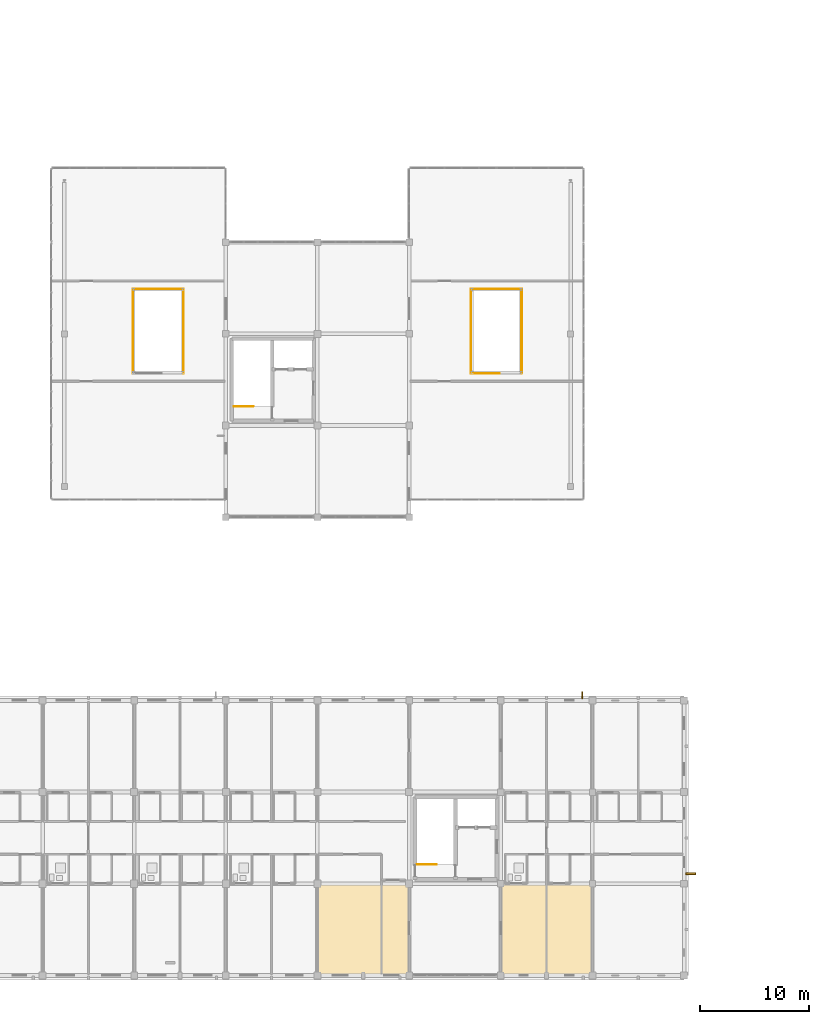
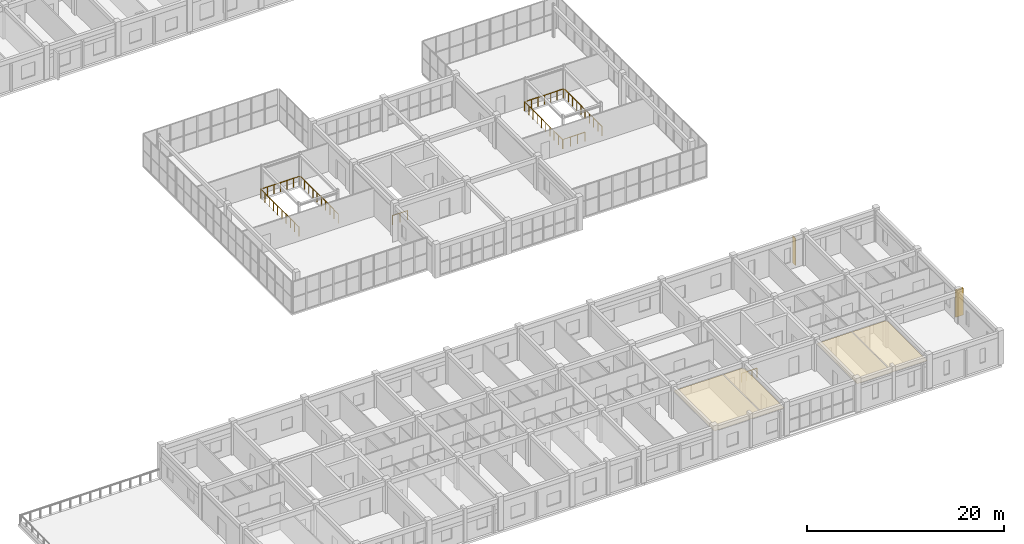
# One storey, part 76 of 81: 9 railings, 2 coverings, 2 shading devices.
"""IFC4 building model written with IfcOpenShell, lengths in metres."""

from ifc_helpers import new_model, si_unit, direction, frame, origin, origin_2d, place, context, subcontext, project, spatial, polyline, rectangle, circle, outline, extrude, material, layer, layer_set, type_object, element, save


model = new_model("IFC4")

# Units and contexts
model_context = context("Model", 3, precision=1e-05, world=origin(), true_north=direction((0.0, 1.0)))
body_context = subcontext(model_context, "Body", "Model", "MODEL_VIEW")
ifc_project = project(units=[si_unit("LENGTHUNIT", "METRE"), si_unit("AREAUNIT", "SQUARE_METRE"), si_unit("VOLUMEUNIT", "CUBIC_METRE"), si_unit("PLANEANGLEUNIT", "RADIAN"), si_unit("MASSUNIT", "GRAM", prefix="KILO")], contexts=[model_context])

# Site, building, storey
site_placement = place(None, origin())
site = spatial("IfcSite", under=ifc_project, at=site_placement, CompositionType="ELEMENT")
building_placement = place(site_placement, origin())
building = spatial("IfcBuilding", under=site, at=building_placement, Name="Trelvath General Hospital", CompositionType="ELEMENT")
storey_placement = place(building_placement, frame((0.0, 0.0, 24.60009765625)))
storey = spatial("IfcBuildingStorey", under=building, at=storey_placement, Name="L06", CompositionType="ELEMENT", Elevation=24.60009765625)

# Shading device
ifc_material_1 = material(Name="Precast concrete C40/50", Category="concrete")
shading_device_type_1 = type_object("IfcShadingDeviceType", Name="BriseSoleil PrecastFin900", PredefinedType="JALOUSIE", material=ifc_material_1)
shading_device_1_placement = place(storey_placement, frame((118.205078125, 9.328125, 0.0), z_axis=(0.0, 0.0, 1.0), x_axis=(1.0, 0.0, 0.0)))
element("IfcShadingDevice", 1, at=shading_device_1_placement, inside=storey, type_object=shading_device_type_1, Name="Solar Brise-Soleil Screen L06-99", PredefinedType="JALOUSIE", context=body_context, shape_type="SweptSolid", body=[
    extrude(rectangle(XDim=0.89990234375, YDim=0.179931640625, at=origin_2d()), origin(), (0.0, 0.0, 1.0), 3.340087890625),
])

# Coverings
ifc_material_2 = material(Name="Hygienic acoustic ceiling tile")
ifc_layer = layer(ifc_material_2, 0.02490234375)
ifc_layer_set = layer_set([ifc_layer], Name="Hygienic acoustic ceiling tile")
covering_type = type_object("IfcCoveringType", Name="Ceiling ClinicalAcoustic", PredefinedType="CEILING", material=ifc_layer_set)
covering_1_placement = place(storey_placement, frame((0.0, 0.0, 3.199951171875)))
element("IfcCovering", 2, at=covering_1_placement, inside=storey, type_object=covering_type, Name="Clinical Acoustic Ceiling L06-74", PredefinedType="CEILING", context=body_context, shape_type="SweptSolid", body=[
    extrude(outline(polyline([(84.10009765625, 0.10009765625), (92.300048828125, 0.10009765625), (92.300048828125, 8.320068359375), (84.10009765625, 8.320068359375), (84.10009765625, 0.10009765625)])), origin(), (0.0, 0.0, 1.0), 0.02490234375),
])
covering_2_placement = place(storey_placement, frame((0.0, 0.0, 3.199951171875)))
element("IfcCovering", 3, at=covering_2_placement, inside=storey, type_object=covering_type, Name="Clinical Acoustic Ceiling L06-75", PredefinedType="CEILING", context=body_context, shape_type="SweptSolid", body=[
    extrude(outline(polyline([(100.89990234375, 0.10009765625), (109.10009765625, 0.10009765625), (109.10009765625, 8.320068359375), (100.89990234375, 8.320068359375), (100.89990234375, 0.10009765625)])), origin(), (0.0, 0.0, 1.0), 0.02490234375),
])

# Railings
ifc_material_3 = material(Name="Architectural painted steel", Category="steel")
railing_type = type_object("IfcRailingType", Name="Guardrail Terrace1150", PredefinedType="GUARDRAIL", material=ifc_material_3)
railing_1_placement = place(storey_placement, frame((93.1298828125, 10.159912109375, 0.0)))
element("IfcRailing", 4, at=railing_1_placement, inside=storey, type_object=railing_type, Name="Stair Well Edge Guard C5 L06 192", PredefinedType="GUARDRAIL", context=body_context, shape_type="SweptSolid", body=[
    extrude(circle(Radius=0.02392578125, at=origin_2d()), frame((0.0, 0.0, 1.1259765625), z_axis=(1.0, 0.0, 0.0), x_axis=(0.0, 1.0, 0.0)), (0.0, 0.0, 1.0), 1.800048828125),
    extrude(circle(Radius=0.02099609375, at=origin_2d()), origin(), (0.0, 0.0, 1.0), 1.099853515625),
    extrude(circle(Radius=0.02099609375, at=origin_2d()), frame((0.60009765625, 0.0, 0.0)), (0.0, 0.0, 1.0), 1.099853515625),
    extrude(circle(Radius=0.02099609375, at=origin_2d()), frame((1.199951171875, 0.0, 0.0)), (0.0, 0.0, 1.0), 1.099853515625),
    extrude(circle(Radius=0.02099609375, at=origin_2d()), frame((1.800048828125, 0.0, 0.0)), (0.0, 0.0, 1.0), 1.099853515625),
])
railing_2_placement = place(storey_placement, frame((76.330078125, 52.159912109375, 0.0)))
element("IfcRailing", 5, at=railing_2_placement, inside=storey, type_object=railing_type, Name="Stair Well Edge Guard C6 L06 228", PredefinedType="GUARDRAIL", context=body_context, shape_type="SweptSolid", body=[
    extrude(circle(Radius=0.02392578125, at=origin_2d()), frame((0.0, 0.0, 1.1259765625), z_axis=(1.0, 0.0, 0.0), x_axis=(0.0, 1.0, 0.0)), (0.0, 0.0, 1.0), 1.7998046875),
    extrude(circle(Radius=0.02099609375, at=origin_2d()), origin(), (0.0, 0.0, 1.0), 1.099853515625),
    extrude(circle(Radius=0.02099609375, at=origin_2d()), frame((0.89990234375, 0.0, 0.0)), (0.0, 0.0, 1.0), 1.099853515625),
    extrude(circle(Radius=0.02099609375, at=origin_2d()), frame((1.7998046875, 0.0, 0.0)), (0.0, 0.0, 1.0), 1.099853515625),
])
railing_3_placement = place(storey_placement, frame((67.080078125, 55.179931640625, 0.0)))
element("IfcRailing", 6, at=railing_3_placement, inside=storey, type_object=railing_type, Name="Atrium Guard W CUBE-W-T2 L06 395", PredefinedType="GUARDRAIL", context=body_context, shape_type="SweptSolid", body=[
    extrude(circle(Radius=0.02392578125, at=origin_2d()), frame((0.0, 0.0, 1.1259765625), z_axis=(0.0, 1.0, 0.0), x_axis=(-1.0, 0.0, 0.0)), (0.0, 0.0, 1.0), 7.739990234375),
    extrude(circle(Radius=0.02099609375, at=origin_2d()), origin(), (0.0, 0.0, 1.0), 1.099853515625),
    extrude(circle(Radius=0.02099609375, at=origin_2d()), frame((0.0, 0.860107421875, 0.0)), (0.0, 0.0, 1.0), 1.099853515625),
    extrude(circle(Radius=0.02099609375, at=origin_2d()), frame((0.0, 1.719970703125, 0.0)), (0.0, 0.0, 1.0), 1.099853515625),
    extrude(circle(Radius=0.02099609375, at=origin_2d()), frame((0.0, 2.580078125, 0.0)), (0.0, 0.0, 1.0), 1.099853515625),
    extrude(circle(Radius=0.02099609375, at=origin_2d()), frame((0.0, 3.43994140625, 0.0)), (0.0, 0.0, 1.0), 1.099853515625),
    extrude(circle(Radius=0.02099609375, at=origin_2d()), frame((0.0, 4.300048828125, 0.0)), (0.0, 0.0, 1.0), 1.099853515625),
    extrude(circle(Radius=0.02099609375, at=origin_2d()), frame((0.0, 5.159912109375, 0.0)), (0.0, 0.0, 1.0), 1.099853515625),
    extrude(circle(Radius=0.02099609375, at=origin_2d()), frame((0.0, 6.02001953125, 0.0)), (0.0, 0.0, 1.0), 1.099853515625),
    extrude(circle(Radius=0.02099609375, at=origin_2d()), frame((0.0, 6.8798828125, 0.0)), (0.0, 0.0, 1.0), 1.099853515625),
    extrude(circle(Radius=0.02099609375, at=origin_2d()), frame((0.0, 7.739990234375, 0.0)), (0.0, 0.0, 1.0), 1.099853515625),
])
railing_4_placement = place(storey_placement, frame((67.139892578125, 62.919921875, 0.0)))
element("IfcRailing", 7, at=railing_4_placement, inside=storey, type_object=railing_type, Name="Atrium Guard N CUBE-W-T2 L06 396", PredefinedType="GUARDRAIL", context=body_context, shape_type="SweptSolid", body=[
    extrude(circle(Radius=0.02392578125, at=origin_2d()), frame((0.0, 0.0, 1.1259765625), z_axis=(1.0, 0.0, 0.0), x_axis=(0.0, 1.0, 0.0)), (0.0, 0.0, 1.0), 4.52001953125),
    extrude(circle(Radius=0.02099609375, at=origin_2d()), origin(), (0.0, 0.0, 1.0), 1.099853515625),
    extrude(circle(Radius=0.02099609375, at=origin_2d()), frame((0.75341796875, 0.0, 0.0)), (0.0, 0.0, 1.0), 1.099853515625),
    extrude(circle(Radius=0.02099609375, at=origin_2d()), frame((1.506591796875, 0.0, 0.0)), (0.0, 0.0, 1.0), 1.099853515625),
    extrude(circle(Radius=0.02099609375, at=origin_2d()), frame((2.260009765625, 0.0, 0.0)), (0.0, 0.0, 1.0), 1.099853515625),
    extrude(circle(Radius=0.02099609375, at=origin_2d()), frame((3.013427734375, 0.0, 0.0)), (0.0, 0.0, 1.0), 1.099853515625),
    extrude(circle(Radius=0.02099609375, at=origin_2d()), frame((3.7666015625, 0.0, 0.0)), (0.0, 0.0, 1.0), 1.099853515625),
    extrude(circle(Radius=0.02099609375, at=origin_2d()), frame((4.52001953125, 0.0, 0.0)), (0.0, 0.0, 1.0), 1.099853515625),
])
for number, where, name in (
    (8, (71.719970703125, 55.179931640625, 0.0), "Atrium Guard E CUBE-W-T2 L06 397"),
    (9, (98.080078125, 55.179931640625, 0.0), "Atrium Guard W CUBE-E-T2 L06 399"),
):
    element("IfcRailing", number, at=place(storey_placement, frame(where)), inside=storey, type_object=railing_type, Name=name, PredefinedType="GUARDRAIL", context=body_context, shape_type="SweptSolid", body=[
        extrude(circle(Radius=0.02392578125, at=origin_2d()), frame((0.0, 0.0, 1.1259765625), z_axis=(0.0, 1.0, 0.0), x_axis=(-1.0, 0.0, 0.0)), (0.0, 0.0, 1.0), 7.739990234375),
        extrude(circle(Radius=0.02099609375, at=origin_2d()), origin(), (0.0, 0.0, 1.0), 1.099853515625),
        extrude(circle(Radius=0.02099609375, at=origin_2d()), frame((0.0, 0.860107421875, 0.0)), (0.0, 0.0, 1.0), 1.099853515625),
        extrude(circle(Radius=0.02099609375, at=origin_2d()), frame((0.0, 1.719970703125, 0.0)), (0.0, 0.0, 1.0), 1.099853515625),
        extrude(circle(Radius=0.02099609375, at=origin_2d()), frame((0.0, 2.580078125, 0.0)), (0.0, 0.0, 1.0), 1.099853515625),
        extrude(circle(Radius=0.02099609375, at=origin_2d()), frame((0.0, 3.43994140625, 0.0)), (0.0, 0.0, 1.0), 1.099853515625),
        extrude(circle(Radius=0.02099609375, at=origin_2d()), frame((0.0, 4.300048828125, 0.0)), (0.0, 0.0, 1.0), 1.099853515625),
        extrude(circle(Radius=0.02099609375, at=origin_2d()), frame((0.0, 5.159912109375, 0.0)), (0.0, 0.0, 1.0), 1.099853515625),
        extrude(circle(Radius=0.02099609375, at=origin_2d()), frame((0.0, 6.02001953125, 0.0)), (0.0, 0.0, 1.0), 1.099853515625),
        extrude(circle(Radius=0.02099609375, at=origin_2d()), frame((0.0, 6.8798828125, 0.0)), (0.0, 0.0, 1.0), 1.099853515625),
        extrude(circle(Radius=0.02099609375, at=origin_2d()), frame((0.0, 7.739990234375, 0.0)), (0.0, 0.0, 1.0), 1.099853515625),
    ])
railing_5_placement = place(storey_placement, frame((98.139892578125, 62.919921875, 0.0)))
element("IfcRailing", 10, at=railing_5_placement, inside=storey, type_object=railing_type, Name="Atrium Guard N CUBE-E-T2 L06 400", PredefinedType="GUARDRAIL", context=body_context, shape_type="SweptSolid", body=[
    extrude(circle(Radius=0.02392578125, at=origin_2d()), frame((0.0, 0.0, 1.1259765625), z_axis=(1.0, 0.0, 0.0), x_axis=(0.0, 1.0, 0.0)), (0.0, 0.0, 1.0), 4.52001953125),
    extrude(circle(Radius=0.02099609375, at=origin_2d()), origin(), (0.0, 0.0, 1.0), 1.099853515625),
    extrude(circle(Radius=0.02099609375, at=origin_2d()), frame((0.75341796875, 0.0, 0.0)), (0.0, 0.0, 1.0), 1.099853515625),
    extrude(circle(Radius=0.02099609375, at=origin_2d()), frame((1.506591796875, 0.0, 0.0)), (0.0, 0.0, 1.0), 1.099853515625),
    extrude(circle(Radius=0.02099609375, at=origin_2d()), frame((2.260009765625, 0.0, 0.0)), (0.0, 0.0, 1.0), 1.099853515625),
    extrude(circle(Radius=0.02099609375, at=origin_2d()), frame((3.013427734375, 0.0, 0.0)), (0.0, 0.0, 1.0), 1.099853515625),
    extrude(circle(Radius=0.02099609375, at=origin_2d()), frame((3.7666015625, 0.0, 0.0)), (0.0, 0.0, 1.0), 1.099853515625),
    extrude(circle(Radius=0.02099609375, at=origin_2d()), frame((4.52001953125, 0.0, 0.0)), (0.0, 0.0, 1.0), 1.099853515625),
])
railing_6_placement = place(storey_placement, frame((102.719970703125, 55.179931640625, 0.0)))
element("IfcRailing", 11, at=railing_6_placement, inside=storey, type_object=railing_type, Name="Atrium Guard E CUBE-E-T2 L06 401", PredefinedType="GUARDRAIL", context=body_context, shape_type="SweptSolid", body=[
    extrude(circle(Radius=0.02392578125, at=origin_2d()), frame((0.0, 0.0, 1.1259765625), z_axis=(0.0, 1.0, 0.0), x_axis=(-1.0, 0.0, 0.0)), (0.0, 0.0, 1.0), 7.739990234375),
    extrude(circle(Radius=0.02099609375, at=origin_2d()), origin(), (0.0, 0.0, 1.0), 1.099853515625),
    extrude(circle(Radius=0.02099609375, at=origin_2d()), frame((0.0, 0.860107421875, 0.0)), (0.0, 0.0, 1.0), 1.099853515625),
    extrude(circle(Radius=0.02099609375, at=origin_2d()), frame((0.0, 1.719970703125, 0.0)), (0.0, 0.0, 1.0), 1.099853515625),
    extrude(circle(Radius=0.02099609375, at=origin_2d()), frame((0.0, 2.580078125, 0.0)), (0.0, 0.0, 1.0), 1.099853515625),
    extrude(circle(Radius=0.02099609375, at=origin_2d()), frame((0.0, 3.43994140625, 0.0)), (0.0, 0.0, 1.0), 1.099853515625),
    extrude(circle(Radius=0.02099609375, at=origin_2d()), frame((0.0, 4.300048828125, 0.0)), (0.0, 0.0, 1.0), 1.099853515625),
    extrude(circle(Radius=0.02099609375, at=origin_2d()), frame((0.0, 5.159912109375, 0.0)), (0.0, 0.0, 1.0), 1.099853515625),
    extrude(circle(Radius=0.02099609375, at=origin_2d()), frame((0.0, 6.02001953125, 0.0)), (0.0, 0.0, 1.0), 1.099853515625),
    extrude(circle(Radius=0.02099609375, at=origin_2d()), frame((0.0, 6.8798828125, 0.0)), (0.0, 0.0, 1.0), 1.099853515625),
    extrude(circle(Radius=0.02099609375, at=origin_2d()), frame((0.0, 7.739990234375, 0.0)), (0.0, 0.0, 1.0), 1.099853515625),
])
railing_7_placement = place(storey_placement, frame((98.139892578125, 55.179931640625, 0.0)))
element("IfcRailing", 12, at=railing_7_placement, inside=storey, type_object=railing_type, Name="Atrium Top-Well Guard S CUBE-E-T2 L06 402", PredefinedType="GUARDRAIL", context=body_context, shape_type="SweptSolid", body=[
    extrude(circle(Radius=0.02392578125, at=origin_2d()), frame((0.0, 0.0, 1.1259765625), z_axis=(1.0, 0.0, 0.0), x_axis=(0.0, 1.0, 0.0)), (0.0, 0.0, 1.0), 2.56005859375),
    extrude(circle(Radius=0.02099609375, at=origin_2d()), origin(), (0.0, 0.0, 1.0), 1.099853515625),
    extrude(circle(Radius=0.02099609375, at=origin_2d()), frame((0.853271484375, 0.0, 0.0)), (0.0, 0.0, 1.0), 1.099853515625),
    extrude(circle(Radius=0.02099609375, at=origin_2d()), frame((1.706787109375, 0.0, 0.0)), (0.0, 0.0, 1.0), 1.099853515625),
    extrude(circle(Radius=0.02099609375, at=origin_2d()), frame((2.56005859375, 0.0, 0.0)), (0.0, 0.0, 1.0), 1.099853515625),
])

# Shading device
ifc_material_4 = material(Name="Anodised aluminium", Category="aluminium")
shading_device_type_2 = type_object("IfcShadingDeviceType", Name="SolarScreen PerforatedAlu", PredefinedType="JALOUSIE", material=ifc_material_4)
shading_device_2_placement = place(storey_placement, frame((108.271728515625, 25.679931640625, 0.0), z_axis=(0.0, 0.0, 1.0), x_axis=(0.0, 1.0, 0.0)))
element("IfcShadingDevice", 13, at=shading_device_2_placement, inside=storey, type_object=shading_device_type_2, Name="Solar Brise-Soleil Screen L06-98", PredefinedType="JALOUSIE", context=body_context, shape_type="SweptSolid", body=[
    extrude(rectangle(XDim=0.64990234375, YDim=0.080078125, at=origin_2d()), origin(), (0.0, 0.0, 1.0), 3.340087890625),
])

save(model, "model.ifc")
